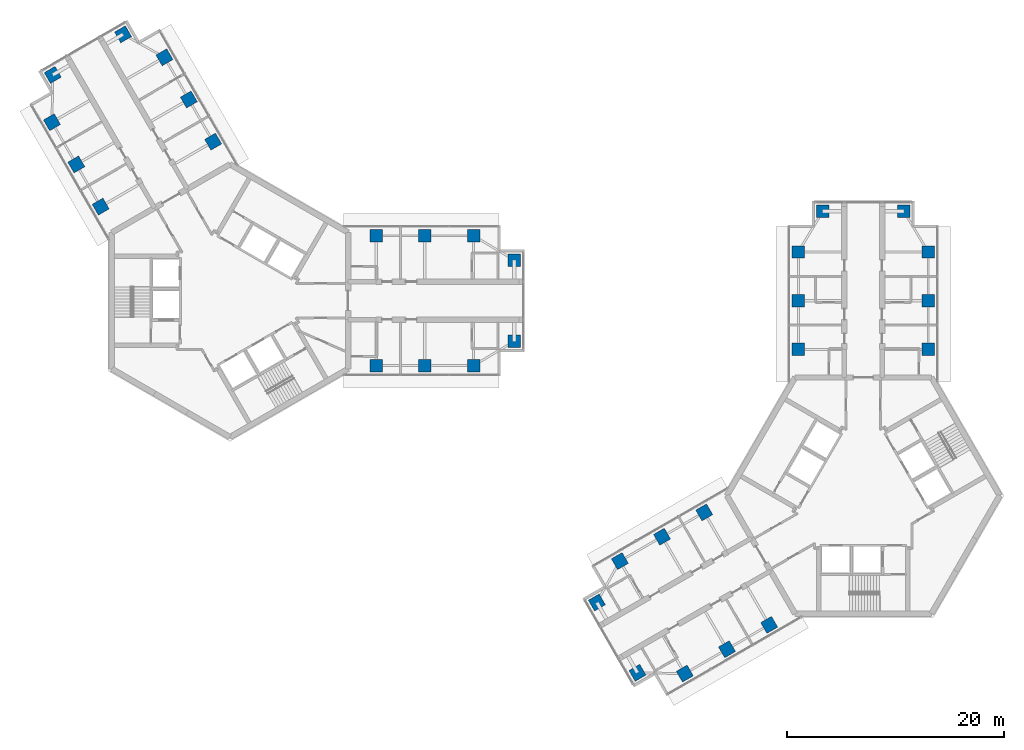
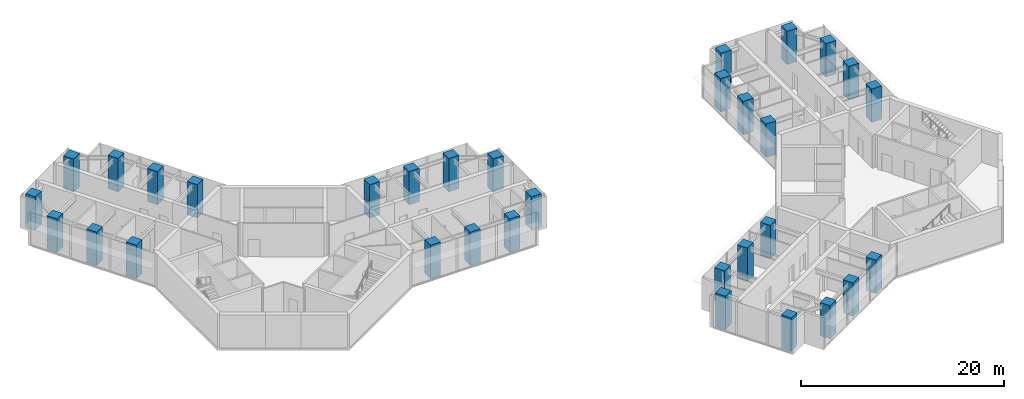
# One storey, part 1 of 17: 32 columns.
"""IFC4 building model written with IfcOpenShell, lengths in metres."""

from ifc_helpers import new_model, si_unit, direction, frame, origin, origin_2d, place, context, subcontext, project, spatial, rectangle, extrude, material, material_profile, profile_set, type_object, element, save


model = new_model("IFC4")

# Units and contexts
model_context = context("Model", 3, precision=1e-05, world=origin(), true_north=direction((0.0, 1.0)))
body_context = subcontext(model_context, "Body", "Model", "MODEL_VIEW")
ifc_project = project(units=[si_unit("LENGTHUNIT", "METRE"), si_unit("AREAUNIT", "SQUARE_METRE"), si_unit("VOLUMEUNIT", "CUBIC_METRE"), si_unit("PLANEANGLEUNIT", "RADIAN"), si_unit("MASSUNIT", "GRAM", prefix="KILO")], contexts=[model_context])

# Site, building, storey
site_placement = place(None, origin())
site = spatial("IfcSite", under=ifc_project, at=site_placement, CompositionType="ELEMENT")
building_placement = place(site_placement, origin())
building = spatial("IfcBuilding", under=site, at=building_placement, Name="Upepo Twin Towers", CompositionType="ELEMENT")
storey_placement = place(building_placement, frame((0.0, 0.0, 198.5)))
storey = spatial("IfcBuildingStorey", under=building, at=storey_placement, Name="L48", CompositionType="ELEMENT", Elevation=198.5)

# Columns
ifc_material = material(Name="Concrete C60/75", Category="concrete")
ifc_material_profile = material_profile(ifc_material, rectangle(XDim=1.14990234375, YDim=1.14990234375, at=origin_2d()), Name="RC 1150x1150")
ifc_profile_set = profile_set([ifc_material_profile], Name="Concrete C60/75")
column_type = type_object("IfcColumnType", Name="Tower column RC 1150x1150", PredefinedType="COLUMN", material=ifc_profile_set)
for number, where, z_axis, x_axis, name in (
    (1, (13.5, 6.0, 0.0), (0.0, 0.0, 1.0), (1.0, 0.0, 0.0), "T1 column AL135"),
    (2, (13.5, -6.0, 0.0), (0.0, 0.0, 1.0), (1.0, 0.0, 0.0), "T1 column AR135"),
    (3, (18.0, 6.0, 0.0), (0.0, 0.0, 1.0), (1.0, 0.0, 0.0), "T1 column AL180"),
    (4, (18.0, -6.0, 0.0), (0.0, 0.0, 1.0), (1.0, 0.0, 0.0), "T1 column AR180"),
    (5, (22.5, 6.0, 0.0), (0.0, 0.0, 1.0), (1.0, 0.0, 0.0), "T1 column AL225"),
    (6, (22.5, -6.0, 0.0), (0.0, 0.0, 1.0), (1.0, 0.0, 0.0), "T1 column AR225"),
    (7, (26.25, 3.75, 0.0), (0.0, 0.0, 1.0), (1.0, 0.0, 0.0), "T1 column ALN"),
    (8, (26.25, -3.75, 0.0), (0.0, 0.0, 1.0), (1.0, 0.0, 0.0), "T1 column ARN"),
    (9, (-11.946044921875, 8.69140625, 0.0), (0.0, 0.0, 1.0), (0.866025403784, 0.5, 0.0), "T1 column BL135"),
    (10, (-1.553955078125, 14.69140625, 0.0), (0.0, 0.0, 1.0), (0.866025403784, 0.5, 0.0), "T1 column BR135"),
    (11, (-14.196044921875, 12.58837890625, 0.0), (0.0, 0.0, 1.0), (0.866025403784, 0.5, 0.0), "T1 column BL180"),
    (12, (-3.803955078125, 18.58837890625, 0.0), (0.0, 0.0, 1.0), (0.866025403784, 0.5, 0.0), "T1 column BR180"),
    (13, (-16.446044921875, 16.485595703125, 0.0), (0.0, 0.0, 1.0), (0.866025403784, 0.5, 0.0), "T1 column BL225"),
    (14, (-6.053955078125, 22.485595703125, 0.0), (0.0, 0.0, 1.0), (0.866025403784, 0.5, 0.0), "T1 column BR225"),
    (15, (-16.37255859375, 20.858154296875, 0.0), (0.0, 0.0, 1.0), (0.866025403784, 0.5, 0.0), "T1 column BLN"),
    (16, (-9.87744140625, 24.608154296875, 0.0), (0.0, 0.0, 1.0), (0.866025403784, 0.5, 0.0), "T1 column BRN"),
    (17, (52.5, -4.5, 0.0), (0.0, 0.0, 1.0), (1.0, 0.0, 0.0), "T2 column AL135"),
    (18, (64.5, -4.5, 0.0), (0.0, 0.0, 1.0), (1.0, 0.0, 0.0), "T2 column AR135"),
    (19, (52.5, 0.0, 0.0), (0.0, 0.0, 1.0), (1.0, 0.0, 0.0), "T2 column AL180"),
    (20, (64.5, 0.0, 0.0), (0.0, 0.0, 1.0), (1.0, 0.0, 0.0), "T2 column AR180"),
    (21, (52.5, 4.5, 0.0), (0.0, 0.0, 1.0), (1.0, 0.0, 0.0), "T2 column AL225"),
    (22, (64.5, 4.5, 0.0), (0.0, 0.0, 1.0), (1.0, 0.0, 0.0), "T2 column AR225"),
    (23, (54.75, 8.25, 0.0), (0.0, 0.0, 1.0), (1.0, 0.0, 0.0), "T2 column ALN"),
    (24, (62.25, 8.25, 0.0), (0.0, 0.0, 1.0), (1.0, 0.0, 0.0), "T2 column ARN"),
    (25, (49.80859375, -29.946044921875, 0.0), (0.0, 0.0, 1.0), (0.866025403784, 0.5, 0.0), "T2 column BL135"),
    (26, (43.80859375, -19.553955078125, 0.0), (0.0, 0.0, 1.0), (0.866025403784, 0.5, 0.0), "T2 column BR135"),
    (27, (45.91162109375, -32.196044921875, 0.0), (0.0, 0.0, 1.0), (0.866025403784, 0.5, 0.0), "T2 column BL180"),
    (28, (39.91162109375, -21.803955078125, 0.0), (0.0, 0.0, 1.0), (0.866025403784, 0.5, 0.0), "T2 column BR180"),
    (29, (42.014404296875, -34.446044921875, 0.0), (0.0, 0.0, 1.0), (0.866025403784, 0.5, 0.0), "T2 column BL225"),
    (30, (36.014404296875, -24.053955078125, 0.0), (0.0, 0.0, 1.0), (0.866025403784, 0.5, 0.0), "T2 column BR225"),
    (31, (37.641845703125, -34.37255859375, 0.0), (0.0, 0.0, 1.0), (0.866025403784, 0.5, 0.0), "T2 column BLN"),
    (32, (33.891845703125, -27.87744140625, 0.0), (0.0, 0.0, 1.0), (0.866025403784, 0.5, 0.0), "T2 column BRN"),
):
    element("IfcColumn", number, at=place(storey_placement, frame(where, z_axis=z_axis, x_axis=x_axis)), inside=storey, type_object=column_type, Name=name, PredefinedType="COLUMN", context=body_context, shape_type="SweptSolid", body=[
        extrude(rectangle(XDim=1.14990234375, YDim=1.14990234375, at=origin_2d()), origin(), (0.0, 0.0, 1.0), 4.0),
    ])

save(model, "model.ifc")
